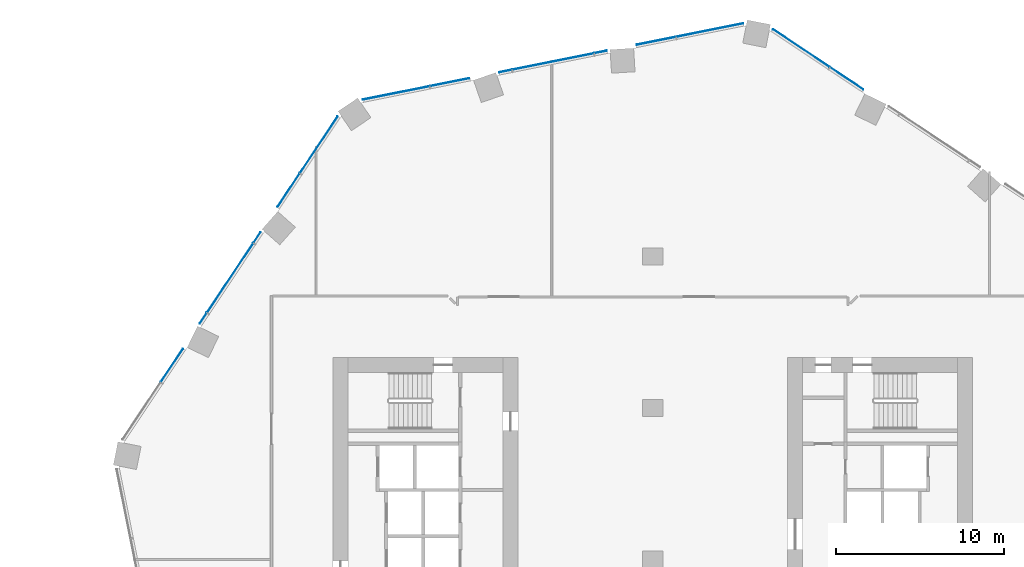
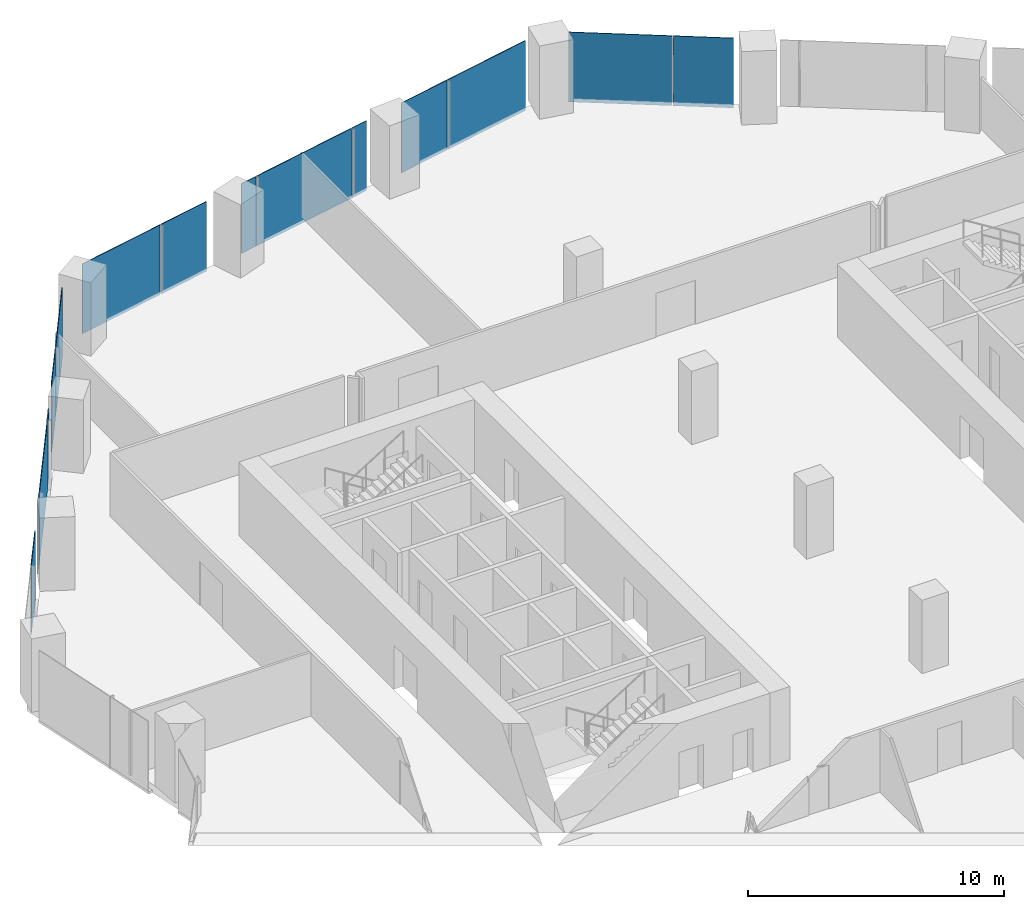
# One storey, part 24 of 38: 15 plates, 3 elements without a shape of their own.
"""IFC4 building model written with IfcOpenShell, lengths in metres."""

from ifc_helpers import new_model, si_unit, direction, frame, origin, origin_2d, place, context, subcontext, project, spatial, rectangle, extrude, material, layer, layer_set, type_object, element, aggregate, save


model = new_model("IFC4")

# Units and contexts
model_context = context("Model", 3, precision=1e-05, world=origin(), true_north=direction((0.0, 1.0)))
body_context = subcontext(model_context, "Body", "Model", "MODEL_VIEW")
ifc_project = project(units=[si_unit("LENGTHUNIT", "METRE"), si_unit("AREAUNIT", "SQUARE_METRE"), si_unit("VOLUMEUNIT", "CUBIC_METRE"), si_unit("PLANEANGLEUNIT", "RADIAN"), si_unit("MASSUNIT", "GRAM", prefix="KILO")], contexts=[model_context])

# Site, building, storey
site_placement = place(None, origin())
site = spatial("IfcSite", under=ifc_project, at=site_placement, CompositionType="ELEMENT")
building_placement = place(site_placement, origin())
building = spatial("IfcBuilding", under=site, at=building_placement, Name="Orlundy Tower", CompositionType="ELEMENT")
storey_placement = place(building_placement, frame((0.0, 0.0, 69.300048828125)))
storey = spatial("IfcBuildingStorey", under=building, at=storey_placement, Name="L16", CompositionType="ELEMENT", Elevation=69.300048828125)

# Curtain wall, plates
ifc_material_1 = material(Name="Aluminium bronze anodised", Category="aluminium")
curtain_wall_type = type_object("IfcCurtainWallType", Name="CW1 wall", PredefinedType="NOTDEFINED", material=ifc_material_1)
curtain_wall_1_placement = place(storey_placement, origin())
curtain_wall_1 = element("IfcCurtainWall", 1, at=curtain_wall_1_placement, inside=storey, type_object=curtain_wall_type, Name="CW1 run 014", PredefinedType="NOTDEFINED")
ifc_material_2 = material(Name="Tinted glass", Category="glass")
ifc_layer = layer(ifc_material_2, 0.031982421875)
ifc_layer_set = layer_set([ifc_layer], Name="CW1 glass panel 32")
plate_type = type_object("IfcPlateType", Name="CW1 glass panel 32", PredefinedType="CURTAIN_PANEL", material=ifc_layer_set)
plate_1_placement = place(storey_placement, frame((-28.57080078125, 11.5185546875, -0.280029296875), z_axis=(0.0, 0.0, 1.0), x_axis=(0.554356579774, 0.832279269513, 0.0)))
plate_1 = element("IfcPlate", 2, at=plate_1_placement, type_object=plate_type, Name="CW1 panel", PredefinedType="CURTAIN_PANEL", context=body_context, shape_type="SweptSolid", body=[
    extrude(rectangle(XDim=2.357666015625, YDim=0.031982421875, at=origin_2d()), origin(), (0.0, 0.0, 1.0), 3.330078125),
])
plate_2_placement = place(storey_placement, frame((-26.703369140625, 14.322265625, -0.280029296875), z_axis=(0.0, 0.0, 1.0), x_axis=(0.554356579774, 0.832279269513, 0.0)))
plate_2 = element("IfcPlate", 3, at=plate_2_placement, type_object=plate_type, Name="CW1 panel", PredefinedType="CURTAIN_PANEL", context=body_context, shape_type="SweptSolid", body=[
    extrude(rectangle(XDim=0.745849609375, YDim=0.031982421875, at=origin_2d()), origin(), (0.0, 0.0, 1.0), 3.330078125),
])
plate_3_placement = place(storey_placement, frame((-25.10498046875, 16.721923828125, -0.280029296875), z_axis=(0.0, 0.0, 1.0), x_axis=(0.554356579774, 0.832279269513, 0.0)))
plate_3 = element("IfcPlate", 4, at=plate_3_placement, type_object=plate_type, Name="CW1 panel", PredefinedType="CURTAIN_PANEL", context=body_context, shape_type="SweptSolid", body=[
    extrude(rectangle(XDim=4.92041015625, YDim=0.031982421875, at=origin_2d()), origin(), (0.0, 0.0, 1.0), 3.330078125),
])
plate_4_placement = place(storey_placement, frame((-23.506591796875, 19.12158203125, -0.280029296875), z_axis=(0.0, 0.0, 1.0), x_axis=(0.554356579774, 0.832279269513, 0.0)))
plate_4 = element("IfcPlate", 5, at=plate_4_placement, type_object=plate_type, Name="CW1 panel", PredefinedType="CURTAIN_PANEL", context=body_context, shape_type="SweptSolid", body=[
    extrude(rectangle(XDim=0.74609375, YDim=0.031982421875, at=origin_2d()), origin(), (0.0, 0.0, 1.0), 3.330078125),
])
plate_5_placement = place(storey_placement, frame((-21.63916015625, 21.92529296875, -0.280029296875), z_axis=(0.0, 0.0, 1.0), x_axis=(0.554356579774, 0.832279269513, 0.0)))
plate_5 = element("IfcPlate", 6, at=plate_5_placement, type_object=plate_type, Name="CW1 panel", PredefinedType="CURTAIN_PANEL", context=body_context, shape_type="SweptSolid", body=[
    extrude(rectangle(XDim=2.357421875, YDim=0.031982421875, at=origin_2d()), origin(), (0.0, 0.0, 1.0), 3.330078125),
])
plate_6_placement = place(storey_placement, frame((-19.83837890625, 24.629150390625, -0.280029296875), z_axis=(0.0, 0.0, 1.0), x_axis=(0.554356579774, 0.832279269513, 0.0)))
plate_6 = element("IfcPlate", 7, at=plate_6_placement, type_object=plate_type, Name="CW1 panel", PredefinedType="CURTAIN_PANEL", context=body_context, shape_type="SweptSolid", body=[
    extrude(rectangle(XDim=4.039794921875, YDim=0.031982421875, at=origin_2d()), origin(), (0.0, 0.0, 1.0), 3.330078125),
])
aggregate(curtain_wall_1, [plate_1, plate_2, plate_3, plate_4, plate_5, plate_6])

curtain_wall_2_placement = place(storey_placement, origin())
curtain_wall_2 = element("IfcCurtainWall", 8, at=curtain_wall_2_placement, inside=storey, type_object=curtain_wall_type, Name="CW1 run 015", PredefinedType="NOTDEFINED")
plate_7_placement = place(storey_placement, frame((-15.242919921875, 27.708740234375, -0.280029296875), z_axis=(0.0, 0.0, 1.0), x_axis=(0.980501672583, 0.196510737775, 0.0)))
plate_7 = element("IfcPlate", 9, at=plate_7_placement, type_object=plate_type, Name="CW1 panel", PredefinedType="CURTAIN_PANEL", context=body_context, shape_type="SweptSolid", body=[
    extrude(rectangle(XDim=4.038818359375, YDim=0.031982421875, at=origin_2d()), origin(), (0.0, 0.0, 1.0), 3.330078125),
])
plate_8_placement = place(storey_placement, frame((-12.05810546875, 28.34716796875, -0.280029296875), z_axis=(0.0, 0.0, 1.0), x_axis=(0.980501672583, 0.196510737775, 0.0)))
plate_8 = element("IfcPlate", 10, at=plate_8_placement, type_object=plate_type, Name="CW1 panel", PredefinedType="CURTAIN_PANEL", context=body_context, shape_type="SweptSolid", body=[
    extrude(rectangle(XDim=2.357421875, YDim=0.031982421875, at=origin_2d()), origin(), (0.0, 0.0, 1.0), 3.330078125),
])
plate_9_placement = place(storey_placement, frame((-8.7548828125, 29.00927734375, -0.280029296875), z_axis=(0.0, 0.0, 1.0), x_axis=(0.980501672583, 0.196510737775, 0.0)))
plate_9 = element("IfcPlate", 11, at=plate_9_placement, type_object=plate_type, Name="CW1 panel", PredefinedType="CURTAIN_PANEL", context=body_context, shape_type="SweptSolid", body=[
    extrude(rectangle(XDim=0.74609375, YDim=0.031982421875, at=origin_2d()), origin(), (0.0, 0.0, 1.0), 3.330078125),
])
plate_10_placement = place(storey_placement, frame((-5.927734375, 29.57568359375, -0.280029296875), z_axis=(0.0, 0.0, 1.0), x_axis=(0.980501672583, 0.196510737775, 0.0)))
plate_10 = element("IfcPlate", 12, at=plate_10_placement, type_object=plate_type, Name="CW1 panel", PredefinedType="CURTAIN_PANEL", context=body_context, shape_type="SweptSolid", body=[
    extrude(rectangle(XDim=4.920654296875, YDim=0.031982421875, at=origin_2d()), origin(), (0.0, 0.0, 1.0), 3.330078125),
])
plate_11_placement = place(storey_placement, frame((-3.100341796875, 30.142333984375, -0.280029296875), z_axis=(0.0, 0.0, 1.0), x_axis=(0.980501672583, 0.196510737775, 0.0)))
plate_11 = element("IfcPlate", 13, at=plate_11_placement, type_object=plate_type, Name="CW1 panel", PredefinedType="CURTAIN_PANEL", context=body_context, shape_type="SweptSolid", body=[
    extrude(rectangle(XDim=0.746337890625, YDim=0.031982421875, at=origin_2d()), origin(), (0.0, 0.0, 1.0), 3.330078125),
])
plate_12_placement = place(storey_placement, frame((0.202880859375, 30.804443359375, -0.280029296875), z_axis=(0.0, 0.0, 1.0), x_axis=(0.980501672583, 0.196510737775, 0.0)))
plate_12 = element("IfcPlate", 14, at=plate_12_placement, type_object=plate_type, Name="CW1 panel", PredefinedType="CURTAIN_PANEL", context=body_context, shape_type="SweptSolid", body=[
    extrude(rectangle(XDim=2.357421875, YDim=0.031982421875, at=origin_2d()), origin(), (0.0, 0.0, 1.0), 3.330078125),
])
plate_13_placement = place(storey_placement, frame((3.3876953125, 31.44287109375, -0.280029296875), z_axis=(0.0, 0.0, 1.0), x_axis=(0.980501672583, 0.196510737775, 0.0)))
plate_13 = element("IfcPlate", 15, at=plate_13_placement, type_object=plate_type, Name="CW1 panel", PredefinedType="CURTAIN_PANEL", context=body_context, shape_type="SweptSolid", body=[
    extrude(rectangle(XDim=4.039306640625, YDim=0.031982421875, at=origin_2d()), origin(), (0.0, 0.0, 1.0), 3.330078125),
])
aggregate(curtain_wall_2, [plate_7, plate_8, plate_9, plate_10, plate_11, plate_12, plate_13])

curtain_wall_3_placement = place(storey_placement, origin())
curtain_wall_3 = element("IfcCurtainWall", 16, at=curtain_wall_3_placement, inside=storey, type_object=curtain_wall_type, Name="CW1 run 016", PredefinedType="NOTDEFINED")
plate_14_placement = place(storey_placement, frame((8.81494140625, 30.37158203125, -0.280029296875), z_axis=(0.0, 0.0, 1.0), x_axis=(0.832279269513, -0.554356579774, 0.0)))
plate_14 = element("IfcPlate", 17, at=plate_14_placement, type_object=plate_type, Name="CW1 panel", PredefinedType="CURTAIN_PANEL", context=body_context, shape_type="SweptSolid", body=[
    extrude(rectangle(XDim=4.03955078125, YDim=0.031982421875, at=origin_2d()), origin(), (0.0, 0.0, 1.0), 3.330078125),
])
plate_15_placement = place(storey_placement, frame((11.5185546875, 28.57080078125, -0.280029296875), z_axis=(0.0, 0.0, 1.0), x_axis=(0.832279269513, -0.554356579774, 0.0)))
plate_15 = element("IfcPlate", 18, at=plate_15_placement, type_object=plate_type, Name="CW1 panel", PredefinedType="CURTAIN_PANEL", context=body_context, shape_type="SweptSolid", body=[
    extrude(rectangle(XDim=2.357666015625, YDim=0.031982421875, at=origin_2d()), origin(), (0.0, 0.0, 1.0), 3.330078125),
])
aggregate(curtain_wall_3, [plate_14, plate_15])

save(model, "model.ifc")
